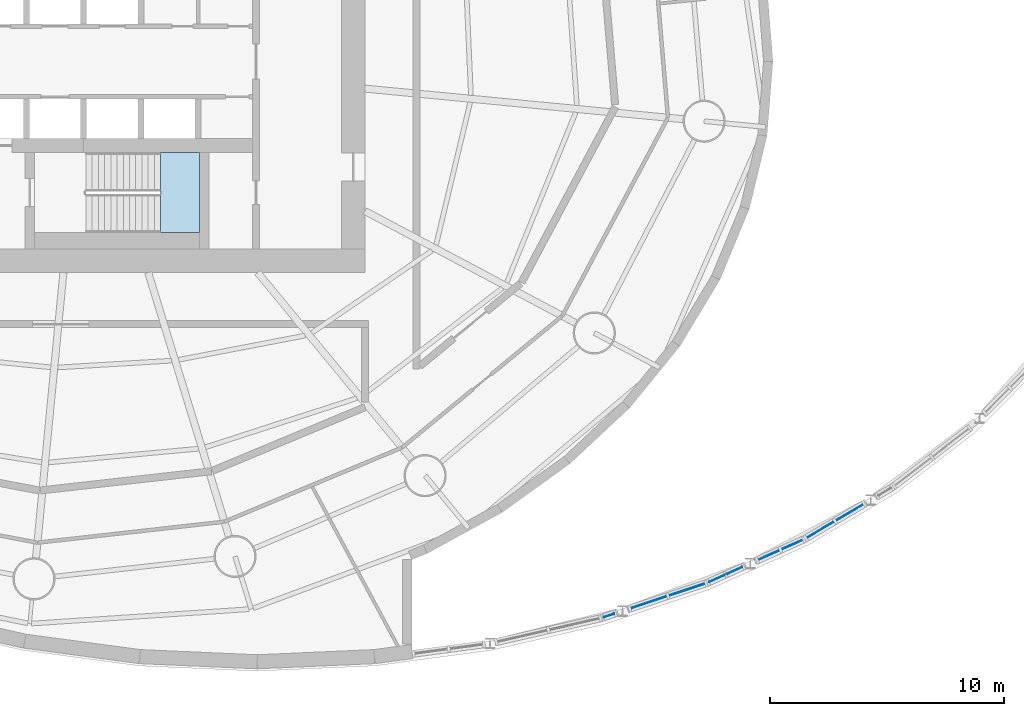
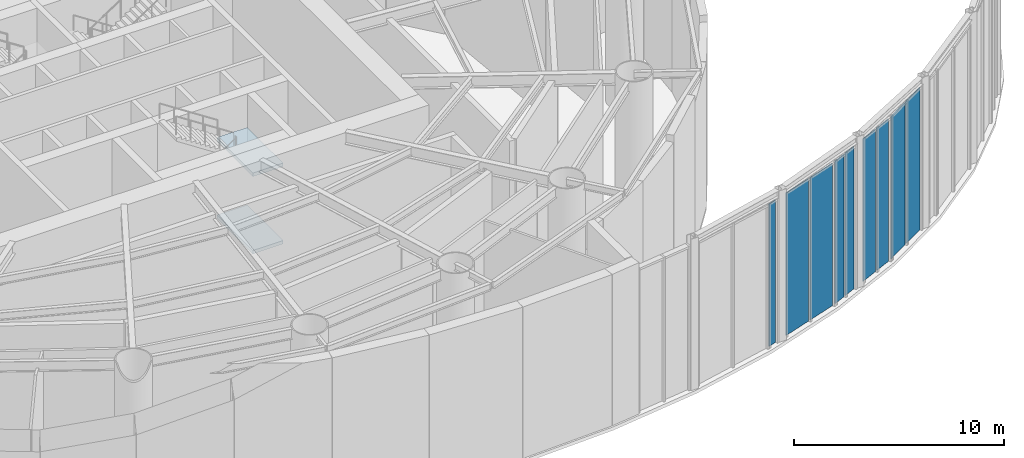
# One storey, part 10 of 19: 9 plates, 2 slabs, 6 elements without a shape of their own.
"""IFC4 building model written with IfcOpenShell, lengths in metres."""

from ifc_helpers import new_model, si_unit, direction, frame, origin, origin_2d, place, context, subcontext, project, spatial, polyline, rectangle, outline, extrude, material, layer, layer_set, type_object, element, aggregate, save


model = new_model("IFC4")

# Units and contexts
model_context = context("Model", 3, precision=1e-05, world=origin(), true_north=direction((0.0, 1.0)))
body_context = subcontext(model_context, "Body", "Model", "MODEL_VIEW")
ifc_project = project(units=[si_unit("LENGTHUNIT", "METRE"), si_unit("AREAUNIT", "SQUARE_METRE"), si_unit("VOLUMEUNIT", "CUBIC_METRE"), si_unit("PLANEANGLEUNIT", "RADIAN"), si_unit("MASSUNIT", "GRAM", prefix="KILO")], contexts=[model_context])

# Site, building, storey
site_placement = place(None, origin())
site = spatial("IfcSite", under=ifc_project, at=site_placement, CompositionType="ELEMENT")
building_placement = place(site_placement, origin())
building = spatial("IfcBuilding", under=site, at=building_placement, Name="Vermilion Reach Broadcast Tower", CompositionType="ELEMENT")
storey_placement = place(building_placement, frame((0.0, 0.0, 17.0)))
storey = spatial("IfcBuildingStorey", under=building, at=storey_placement, Name="L02", CompositionType="ELEMENT", Elevation=17.0)

# Curtain wall, plate
ifc_material_1 = material(Name="Low-e laminated clear glass in aluminium frame", Category="aluminium")
curtain_wall_type = type_object("IfcCurtainWallType", Name="Atrium outer wall curtain wall", PredefinedType="NOTDEFINED", material=ifc_material_1)
placement = place(storey_placement, origin())
curtain_wall_1 = element("IfcCurtainWall", 1, at=placement, inside=storey, type_object=curtain_wall_type, Name="Atrium wall L02 03-1", PredefinedType="NOTDEFINED")
ifc_material_2 = material(Name="Low-e laminated clear glass", Category="glass")
ifc_layer_1 = layer(ifc_material_2, 0.035888671875)
ifc_layer_set_1 = layer_set([ifc_layer_1], Name="Atrium outer wall glass panel")
plate_type = type_object("IfcPlateType", Name="Atrium outer wall glass panel", PredefinedType="CURTAIN_PANEL", material=ifc_layer_set_1)
plate_1_placement = place(storey_placement, frame((16.40771484375, -23.626708984375, 0.0), z_axis=(0.0, 0.0, 1.0), x_axis=(0.949015935462, 0.315228098746, 0.0)))
plate_1 = element("IfcPlate", 2, at=plate_1_placement, type_object=plate_type, Name="Atrium wall glass panel L02 03-1.1.1", PredefinedType="CURTAIN_PANEL", context=body_context, shape_type="SweptSolid", body=[
    extrude(rectangle(XDim=0.467529296875, YDim=0.035888671875, at=origin_2d()), origin(), (0.0, 0.0, 1.0), 8.2900390625),
])
aggregate(curtain_wall_1, [plate_1])

# Curtain wall, plates
curtain_wall_2 = element("IfcCurtainWall", 3, at=placement, inside=storey, type_object=curtain_wall_type, Name="Atrium wall L02 03-2", PredefinedType="NOTDEFINED")
plate_2_placement = place(storey_placement, frame((18.10498046875, -23.06298828125, 0.0), z_axis=(0.0, 0.0, 1.0), x_axis=(0.949015935462, 0.315228098746, 0.0)))
plate_2 = element("IfcPlate", 4, at=plate_2_placement, type_object=plate_type, Name="Atrium wall glass panel L02 03-2.1.1", PredefinedType="CURTAIN_PANEL", context=body_context, shape_type="SweptSolid", body=[
    extrude(rectangle(XDim=1.61328125, YDim=0.035888671875, at=origin_2d()), origin(), (0.0, 0.0, 1.0), 8.2900390625),
])
plate_3_placement = place(storey_placement, frame((19.73095703125, -22.52294921875, 0.0), z_axis=(0.0, 0.0, 1.0), x_axis=(0.949015935462, 0.315228098746, 0.0)))
plate_3 = element("IfcPlate", 5, at=plate_3_placement, type_object=plate_type, Name="Atrium wall glass panel L02 03-2.2.1", PredefinedType="CURTAIN_PANEL", context=body_context, shape_type="SweptSolid", body=[
    extrude(rectangle(XDim=1.61328125, YDim=0.035888671875, at=origin_2d()), origin(), (0.0, 0.0, 1.0), 8.2900390625),
])
aggregate(curtain_wall_2, [plate_2, plate_3])

curtain_wall_3 = element("IfcCurtainWall", 6, at=placement, inside=storey, type_object=curtain_wall_type, Name="Atrium wall L02 04-1", PredefinedType="NOTDEFINED")
plate_4_placement = place(storey_placement, frame((21.01171875, -22.048095703125, 0.0), z_axis=(0.0, 0.0, 1.0), x_axis=(0.911902064418, 0.410407876277, 0.0)))
plate_4 = element("IfcPlate", 7, at=plate_4_placement, type_object=plate_type, Name="Atrium wall glass panel L02 04-1.1.1", PredefinedType="CURTAIN_PANEL", context=body_context, shape_type="SweptSolid", body=[
    extrude(rectangle(XDim=0.721923828125, YDim=0.035888671875, at=origin_2d()), origin(), (0.0, 0.0, 1.0), 8.2900390625),
])
plate_5_placement = place(storey_placement, frame((21.76123046875, -21.710693359375, 0.0), z_axis=(0.0, 0.0, 1.0), x_axis=(0.911902064418, 0.410407876277, 0.0)))
plate_5 = element("IfcPlate", 8, at=plate_5_placement, type_object=plate_type, Name="Atrium wall glass panel L02 04-1.2.1", PredefinedType="CURTAIN_PANEL", context=body_context, shape_type="SweptSolid", body=[
    extrude(rectangle(XDim=0.721923828125, YDim=0.035888671875, at=origin_2d()), origin(), (0.0, 0.0, 1.0), 8.2900390625),
])
aggregate(curtain_wall_3, [plate_4, plate_5])

curtain_wall_4 = element("IfcCurtainWall", 9, at=placement, inside=storey, type_object=curtain_wall_type, Name="Atrium wall L02 04-2", PredefinedType="NOTDEFINED")
plate_6_placement = place(storey_placement, frame((23.223876953125, -21.052490234375, 0.0), z_axis=(0.0, 0.0, 1.0), x_axis=(0.911902064418, 0.410407876277, 0.0)))
plate_6 = element("IfcPlate", 10, at=plate_6_placement, type_object=plate_type, Name="Atrium wall glass panel L02 04-2.1.1", PredefinedType="CURTAIN_PANEL", context=body_context, shape_type="SweptSolid", body=[
    extrude(rectangle(XDim=0.990234375, YDim=0.035888671875, at=origin_2d()), origin(), (0.0, 0.0, 1.0), 8.2900390625),
])
plate_7_placement = place(storey_placement, frame((24.218017578125, -20.60498046875, 0.0), z_axis=(0.0, 0.0, 1.0), x_axis=(0.911902064418, 0.410407876277, 0.0)))
plate_7 = element("IfcPlate", 11, at=plate_7_placement, type_object=plate_type, Name="Atrium wall glass panel L02 04-2.2.1", PredefinedType="CURTAIN_PANEL", context=body_context, shape_type="SweptSolid", body=[
    extrude(rectangle(XDim=0.990234375, YDim=0.035888671875, at=origin_2d()), origin(), (0.0, 0.0, 1.0), 8.2900390625),
])
aggregate(curtain_wall_4, [plate_6, plate_7])

curtain_wall_5 = element("IfcCurtainWall", 12, at=placement, inside=storey, type_object=curtain_wall_type, Name="Atrium wall L02 05-1", PredefinedType="NOTDEFINED")
plate_8_placement = place(storey_placement, frame((25.42578125, -19.968017578125, 0.0), z_axis=(0.0, 0.0, 1.0), x_axis=(0.861009057017, 0.508589622127, 0.0)))
plate_8 = element("IfcPlate", 13, at=plate_8_placement, type_object=plate_type, Name="Atrium wall glass panel L02 05-1.1.1", PredefinedType="CURTAIN_PANEL", context=body_context, shape_type="SweptSolid", body=[
    extrude(rectangle(XDim=1.344970703125, YDim=0.035888671875, at=origin_2d()), origin(), (0.0, 0.0, 1.0), 8.2900390625),
])
plate_9_placement = place(storey_placement, frame((26.669677734375, -19.233154296875, 0.0), z_axis=(0.0, 0.0, 1.0), x_axis=(0.861009057017, 0.508589622127, 0.0)))
plate_9 = element("IfcPlate", 14, at=plate_9_placement, type_object=plate_type, Name="Atrium wall glass panel L02 05-1.2.1", PredefinedType="CURTAIN_PANEL", context=body_context, shape_type="SweptSolid", body=[
    extrude(rectangle(XDim=1.344970703125, YDim=0.035888671875, at=origin_2d()), origin(), (0.0, 0.0, 1.0), 8.2900390625),
])
aggregate(curtain_wall_5, [plate_8, plate_9])

# Stair, slabs
ifc_material_3 = material(Name="Concrete C40", Category="concrete")
stair_type = type_object("IfcStairType", Name="Exit stair RC 52 risers 173 mm", PredefinedType="HALF_TURN_STAIR", material=ifc_material_3)
stair = element("IfcStair", 15, at=placement, inside=storey, type_object=stair_type, Name="L02 Exit stair ST3", PredefinedType="HALF_TURN_STAIR")
ifc_material_4 = material(Name="Concrete C40", Category="concrete")
ifc_layer_2 = layer(ifc_material_4, 0.199951171875)
ifc_layer_set_2 = layer_set([ifc_layer_2], Name="Exit stair landing Concrete C40")
slab_type = type_object("IfcSlabType", Name="Exit stair landing Concrete C40", PredefinedType="LANDING", material=ifc_layer_set_2)
slab_1_placement = place(storey_placement, frame((0.0, 0.0, 2.050048828125)))
slab_1 = element("IfcSlab", 16, at=slab_1_placement, type_object=slab_type, Name="ST3 landing 1", PredefinedType="LANDING", context=body_context, shape_type="SweptSolid", body=[
    extrude(outline(polyline([(-2.719970703125, -7.300048828125), (-1.050048828125, -7.300048828125), (-1.050048828125, -3.8798828125), (-2.719970703125, -3.8798828125), (-2.719970703125, -7.300048828125)])), origin(), (0.0, 0.0, 1.0), 0.199951171875),
])
slab_2_placement = place(storey_placement, frame((0.0, 0.0, 6.550048828125)))
slab_2 = element("IfcSlab", 17, at=slab_2_placement, type_object=slab_type, Name="ST3 landing 3", PredefinedType="LANDING", context=body_context, shape_type="SweptSolid", body=[
    extrude(outline(polyline([(-2.719970703125, -7.300048828125), (-1.050048828125, -7.300048828125), (-1.050048828125, -3.8798828125), (-2.719970703125, -3.8798828125), (-2.719970703125, -7.300048828125)])), origin(), (0.0, 0.0, 1.0), 0.199951171875),
])
aggregate(stair, [slab_1, slab_2])

save(model, "model.ifc")
